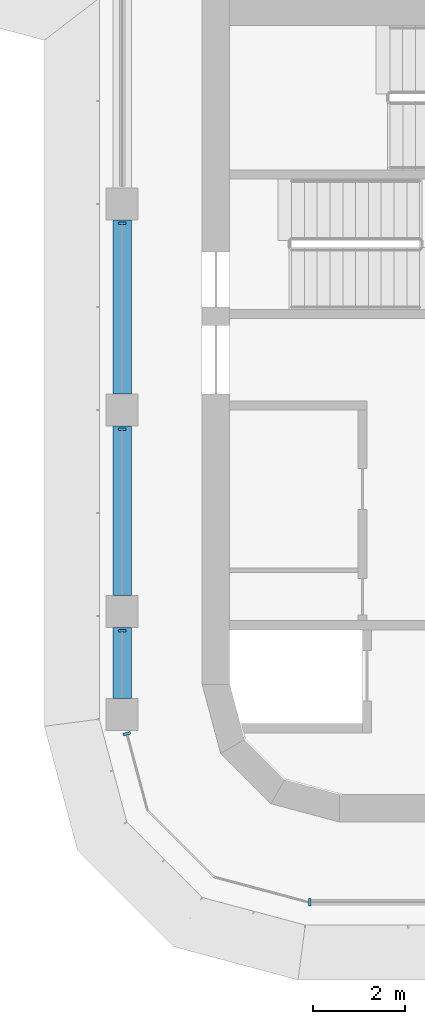
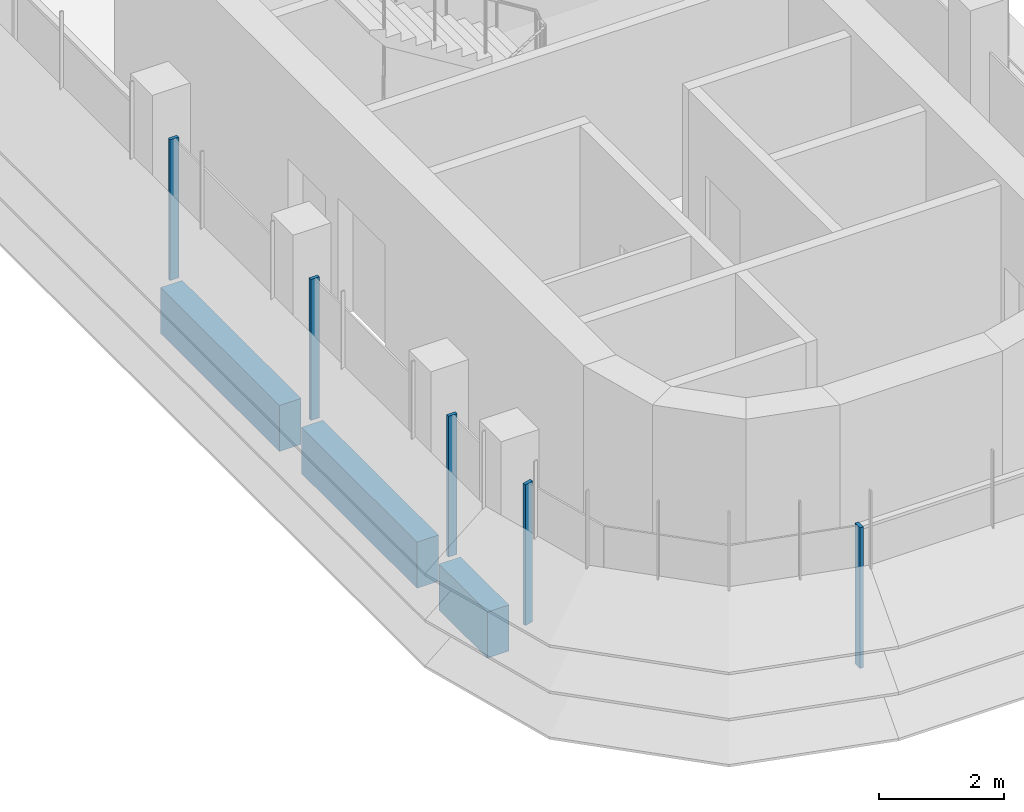
# One storey, part 2 of 18: 5 members, 3 beams, 3 elements without a shape of their own.
"""IFC4 building model written with IfcOpenShell, lengths in metres."""

from ifc_helpers import new_model, si_unit, direction, frame, origin, origin_2d, place, context, subcontext, project, spatial, polyline, rectangle, outline, extrude, source, transform, mapped, material, material_profile, profile_set, type_object, element, aggregate, save


model = new_model("IFC4")

# Units and contexts
model_context = context("Model", 3, precision=1e-05, world=origin(), true_north=direction((0.0, 1.0)))
body_context = subcontext(model_context, "Body", "Model", "MODEL_VIEW")
ifc_project = project(units=[si_unit("LENGTHUNIT", "METRE"), si_unit("AREAUNIT", "SQUARE_METRE"), si_unit("VOLUMEUNIT", "CUBIC_METRE"), si_unit("PLANEANGLEUNIT", "RADIAN"), si_unit("MASSUNIT", "GRAM", prefix="KILO")], contexts=[model_context])

# Site, building, storey
site_placement = place(None, origin())
site = spatial("IfcSite", under=ifc_project, at=site_placement, CompositionType="ELEMENT")
building_placement = place(site_placement, origin())
building = spatial("IfcBuilding", under=site, at=building_placement, Name="Zarbagh Exchange Tower", CompositionType="ELEMENT")
storey_placement = place(building_placement, frame((0.0, 0.0, 210.60009765625)))
storey = spatial("IfcBuildingStorey", under=building, at=storey_placement, Name="L51", CompositionType="ELEMENT", Elevation=210.60009765625)

# Beams
ifc_material_1 = material(Name="Concrete C50/60", Category="concrete")
ifc_material_profile = material_profile(ifc_material_1, rectangle(XDim=0.39990234375, YDim=0.89990234375, at=origin_2d()), Name="RC spandrel beam 400 x 900 C50/60")
ifc_profile_set = profile_set([ifc_material_profile], Name="Concrete C50/60")
beam_type = type_object("IfcBeamType", Name="RC spandrel beam 400 x 900 C50/60", PredefinedType="SPANDREL", material=ifc_profile_set)
beam_1_placement = place(storey_placement, frame((-6.25, -26.550048828125, -0.60009765625), z_axis=(0.0, 1.0, 0.0), x_axis=(-1.0, 0.0, 0.0)))
element("IfcBeam", 1, at=beam_1_placement, inside=storey, type_object=beam_type, Name="RC spandrel beam", PredefinedType="SPANDREL", context=body_context, shape_type="SweptSolid", body=[
    extrude(rectangle(XDim=0.39990234375, YDim=0.89990234375, at=origin_2d()), origin(), (0.0, 0.0, 1.0), 1.550048828125),
])
beam_2_placement = place(storey_placement, frame((-6.25, -24.300048828125, -0.60009765625), z_axis=(0.0, 1.0, 0.0), x_axis=(-1.0, 0.0, 0.0)))
element("IfcBeam", 2, at=beam_2_placement, inside=storey, type_object=beam_type, Name="RC spandrel beam", PredefinedType="SPANDREL", context=body_context, shape_type="SweptSolid", body=[
    extrude(rectangle(XDim=0.39990234375, YDim=0.89990234375, at=origin_2d()), origin(), (0.0, 0.0, 1.0), 3.699951171875),
])
beam_3_placement = place(storey_placement, frame((-6.25, -19.89990234375, -0.60009765625), z_axis=(0.0, 1.0, 0.0), x_axis=(-1.0, 0.0, 0.0)))
element("IfcBeam", 3, at=beam_3_placement, inside=storey, type_object=beam_type, Name="RC spandrel beam", PredefinedType="SPANDREL", context=body_context, shape_type="SweptSolid", body=[
    extrude(rectangle(XDim=0.39990234375, YDim=0.89990234375, at=origin_2d()), origin(), (0.0, 0.0, 1.0), 3.7998046875),
])

# Curtain wall, members
ifc_material_2 = material(Name="Anodised aluminium frame and glazing", Category="aluminium")
curtain_wall_type = type_object("IfcCurtainWallType", Name="CWB Ribbon glazing, upper zones", PredefinedType="NOTDEFINED", material=ifc_material_2)
curtain_wall_1_placement = place(storey_placement, origin())
curtain_wall_1 = element("IfcCurtainWall", 4, at=curtain_wall_1_placement, inside=storey, type_object=curtain_wall_type, Name="CWB53 curtain wall", PredefinedType="NOTDEFINED")
ifc_material_3 = material(Name="Anodised aluminium frame", Category="aluminium")
member_type = type_object("IfcMemberType", Name="MUB Mullion, anodised aluminium frame", PredefinedType="MULLION", material=ifc_material_3)
shared_shape = source(origin(), body_context, "Body", "SweptSolid", [
    extrude(outline(polyline([(0.0, -0.080078125), (0.06005859375, -0.080078125), (0.06005859375, 0.080078125), (0.0, 0.080078125), (0.0, -0.080078125)])), origin(), (0.0, 0.0, 1.0), 2.75),
])
placement = place(storey_placement, origin())
member_1 = element("IfcMember", 5, at=placement, type_object=member_type, Name="CWB53 mullion 2.1", PredefinedType="MULLION", context=body_context, shape_type="MappedRepresentation", body=[
    mapped(shared_shape, transform((-6.25, -16.14013671875, 0.0), x_axis=(0.0, -1.0, 0.0), y_axis=(1.0, 0.0, 0.0), z_axis=(0.0, 0.0, 1.0))),
])
member_2 = element("IfcMember", 6, at=placement, type_object=member_type, Name="CWB53 mullion 3.1", PredefinedType="MULLION", context=body_context, shape_type="MappedRepresentation", body=[
    mapped(shared_shape, transform((-6.25, -20.64013671875, 0.0), x_axis=(0.0, -1.0, 0.0), y_axis=(1.0, 0.0, 0.0), z_axis=(0.0, 0.0, 1.0))),
])
member_3 = element("IfcMember", 7, at=placement, type_object=member_type, Name="CWB53 mullion 4.1", PredefinedType="MULLION", context=body_context, shape_type="MappedRepresentation", body=[
    mapped(shared_shape, transform((-6.25, -25.0400390625, 0.0), x_axis=(0.0, -1.0, 0.0), y_axis=(1.0, 0.0, 0.0), z_axis=(0.0, 0.0, 1.0))),
])
aggregate(curtain_wall_1, [member_1, member_2, member_3])

# Curtain wall, member
curtain_wall_2_placement = place(storey_placement, origin())
curtain_wall_2 = element("IfcCurtainWall", 8, at=curtain_wall_2_placement, inside=storey, type_object=curtain_wall_type, Name="CWB54 curtain wall", PredefinedType="NOTDEFINED")
member_4 = element("IfcMember", 9, at=placement, type_object=member_type, Name="CWB54 mullion 1.1", PredefinedType="MULLION", context=body_context, shape_type="MappedRepresentation", body=[
    mapped(shared_shape, transform((-6.154541015625, -27.2900390625, 0.0), x_axis=(0.258824779902, -0.965924289636, 0.0), y_axis=(0.965924289636, 0.258824779902, 0.0), z_axis=(0.0, 0.0, 1.0))),
])
aggregate(curtain_wall_2, [member_4])

curtain_wall_3_placement = place(storey_placement, origin())
curtain_wall_3 = element("IfcCurtainWall", 10, at=curtain_wall_3_placement, inside=storey, type_object=curtain_wall_type, Name="CWB57 curtain wall", PredefinedType="NOTDEFINED")
member_5 = element("IfcMember", 11, at=placement, type_object=member_type, Name="CWB57 mullion 1.1", PredefinedType="MULLION", context=body_context, shape_type="MappedRepresentation", body=[
    mapped(shared_shape, transform((-2.18408203125, -31.0, 0.0), x_axis=(1.0, 0.0, 0.0), y_axis=(0.0, 1.0, 0.0), z_axis=(0.0, 0.0, 1.0))),
])
aggregate(curtain_wall_3, [member_5])

save(model, "model.ifc")
